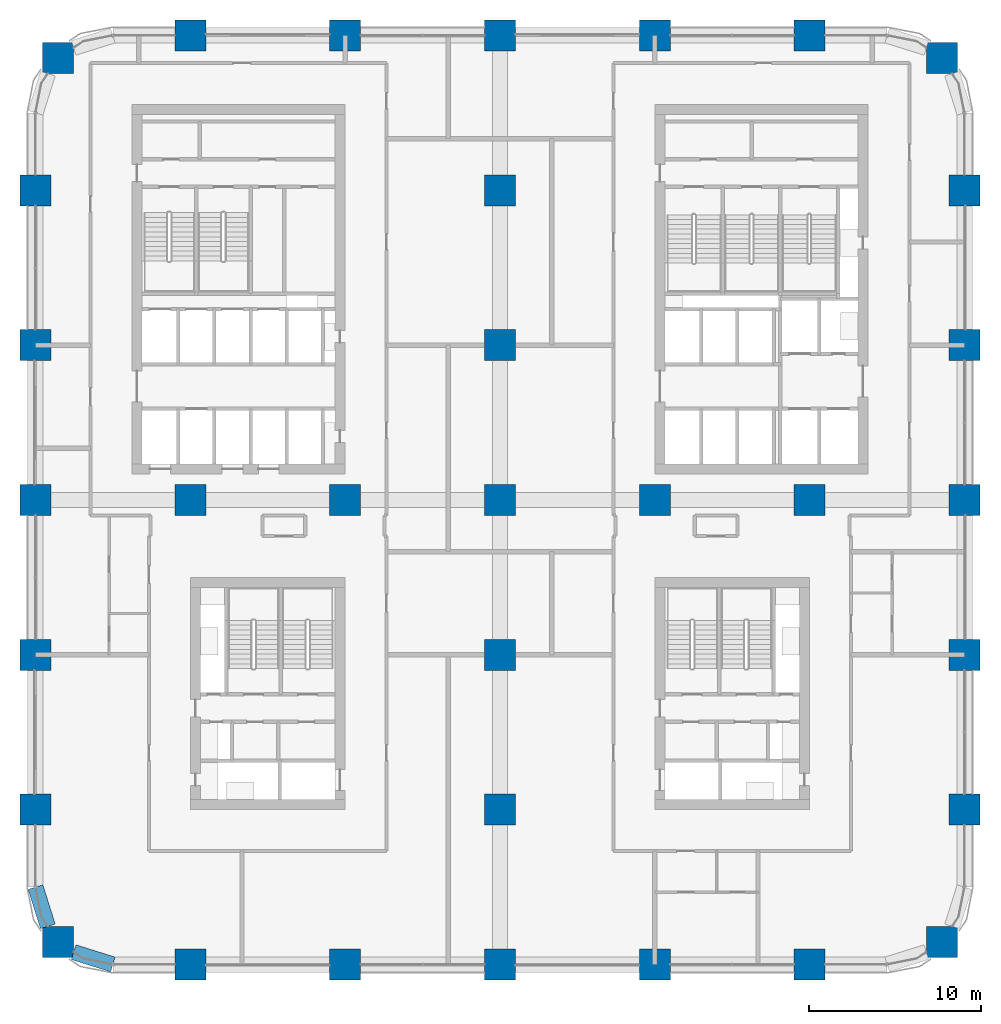
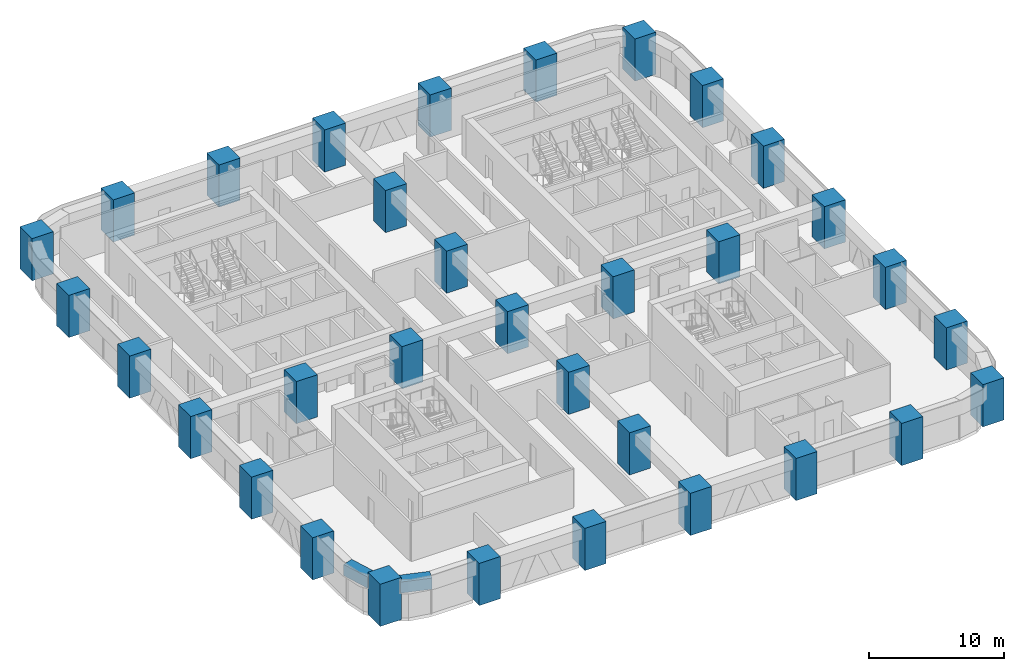
# One storey, part 1 of 21: 33 columns, 2 beams.
"""IFC4 building model written with IfcOpenShell, lengths in metres."""

from ifc_helpers import new_model, si_unit, direction, frame, origin, origin_2d, place, context, subcontext, project, spatial, rectangle, extrude, material, material_profile, profile_set, type_object, element, save


model = new_model("IFC4")

# Units and contexts
model_context = context("Model", 3, precision=1e-05, world=origin(), true_north=direction((0.0, 1.0)))
body_context = subcontext(model_context, "Body", "Model", "MODEL_VIEW")
ifc_project = project(units=[si_unit("LENGTHUNIT", "METRE"), si_unit("AREAUNIT", "SQUARE_METRE"), si_unit("VOLUMEUNIT", "CUBIC_METRE"), si_unit("PLANEANGLEUNIT", "RADIAN"), si_unit("MASSUNIT", "GRAM", prefix="KILO")], contexts=[model_context])

# Site, building, storey
site_placement = place(None, origin())
site = spatial("IfcSite", under=ifc_project, at=site_placement, CompositionType="ELEMENT")
building_placement = place(site_placement, origin())
building = spatial("IfcBuilding", under=site, at=building_placement, Name="Tessera Arch", CompositionType="ELEMENT")
storey_placement = place(building_placement, frame((0.0, 0.0, 65.199951171875)))
storey = spatial("IfcBuildingStorey", under=building, at=storey_placement, Name="L14", CompositionType="ELEMENT", Elevation=65.199951171875)

# Columns
ifc_material_1 = material(Name="Concrete C80/95", Category="concrete")
ifc_material_profile_1 = material_profile(ifc_material_1, rectangle(XDim=1.800048828125, YDim=1.800048828125, at=origin_2d()), Name="RC column 1800 x 1800 Concrete C80/95")
ifc_profile_set_1 = profile_set([ifc_material_profile_1], Name="Concrete C80/95")
column_type = type_object("IfcColumnType", Name="RC column 1800 x 1800 Concrete C80/95", PredefinedType="COLUMN", material=ifc_profile_set_1)
for number, where, z_axis, x_axis, name in (
    (1, (1.318115234375, 1.318115234375, 0.0), (0.0, 0.0, 1.0), (1.0, 0.0, 0.0), "Column C1A L14"),
    (2, (0.0, 9.0, 0.0), (0.0, 0.0, 1.0), (1.0, 0.0, 0.0), "Column C1B L14"),
    (3, (0.0, 18.0, 0.0), (0.0, 0.0, 1.0), (1.0, 0.0, 0.0), "Column C1C L14"),
    (4, (0.0, 27.0, 0.0), (0.0, 0.0, 1.0), (1.0, 0.0, 0.0), "Column C1D L14"),
    (5, (0.0, 36.0, 0.0), (0.0, 0.0, 1.0), (1.0, 0.0, 0.0), "Column C1E L14"),
    (6, (0.0, 45.0, 0.0), (0.0, 0.0, 1.0), (1.0, 0.0, 0.0), "Column C1F L14"),
    (7, (1.318115234375, 52.681884765625, 0.0), (0.0, 0.0, 1.0), (1.0, 0.0, 0.0), "Column C1G L14"),
    (8, (9.0, 0.0, 0.0), (0.0, 0.0, 1.0), (1.0, 0.0, 0.0), "Column C2A L14"),
    (9, (9.0, 27.0, 0.0), (0.0, 0.0, 1.0), (1.0, 0.0, 0.0), "Column C2D L14"),
    (10, (9.0, 54.0, 0.0), (0.0, 0.0, 1.0), (1.0, 0.0, 0.0), "Column C2G L14"),
    (11, (18.0, 0.0, 0.0), (0.0, 0.0, 1.0), (1.0, 0.0, 0.0), "Column C3A L14"),
    (12, (18.0, 27.0, 0.0), (0.0, 0.0, 1.0), (1.0, 0.0, 0.0), "Column C3D L14"),
    (13, (18.0, 54.0, 0.0), (0.0, 0.0, 1.0), (1.0, 0.0, 0.0), "Column C3G L14"),
    (14, (27.0, 0.0, 0.0), (0.0, 0.0, 1.0), (1.0, 0.0, 0.0), "Column C4A L14"),
    (15, (27.0, 9.0, 0.0), (0.0, 0.0, 1.0), (1.0, 0.0, 0.0), "Column C4B L14"),
    (16, (27.0, 18.0, 0.0), (0.0, 0.0, 1.0), (1.0, 0.0, 0.0), "Column C4C L14"),
    (17, (27.0, 27.0, 0.0), (0.0, 0.0, 1.0), (1.0, 0.0, 0.0), "Column C4D L14"),
    (18, (27.0, 36.0, 0.0), (0.0, 0.0, 1.0), (1.0, 0.0, 0.0), "Column C4E L14"),
    (19, (27.0, 45.0, 0.0), (0.0, 0.0, 1.0), (1.0, 0.0, 0.0), "Column C4F L14"),
    (20, (27.0, 54.0, 0.0), (0.0, 0.0, 1.0), (1.0, 0.0, 0.0), "Column C4G L14"),
    (21, (36.0, 0.0, 0.0), (0.0, 0.0, 1.0), (1.0, 0.0, 0.0), "Column C5A L14"),
    (22, (36.0, 27.0, 0.0), (0.0, 0.0, 1.0), (1.0, 0.0, 0.0), "Column C5D L14"),
    (23, (36.0, 54.0, 0.0), (0.0, 0.0, 1.0), (1.0, 0.0, 0.0), "Column C5G L14"),
    (24, (45.0, 0.0, 0.0), (0.0, 0.0, 1.0), (1.0, 0.0, 0.0), "Column C6A L14"),
    (25, (45.0, 27.0, 0.0), (0.0, 0.0, 1.0), (1.0, 0.0, 0.0), "Column C6D L14"),
    (26, (45.0, 54.0, 0.0), (0.0, 0.0, 1.0), (1.0, 0.0, 0.0), "Column C6G L14"),
    (27, (52.681884765625, 1.318115234375, 0.0), (0.0, 0.0, 1.0), (1.0, 0.0, 0.0), "Column C7A L14"),
    (28, (54.0, 9.0, 0.0), (0.0, 0.0, 1.0), (1.0, 0.0, 0.0), "Column C7B L14"),
    (29, (54.0, 18.0, 0.0), (0.0, 0.0, 1.0), (1.0, 0.0, 0.0), "Column C7C L14"),
    (30, (54.0, 27.0, 0.0), (0.0, 0.0, 1.0), (1.0, 0.0, 0.0), "Column C7D L14"),
    (31, (54.0, 36.0, 0.0), (0.0, 0.0, 1.0), (1.0, 0.0, 0.0), "Column C7E L14"),
    (32, (54.0, 45.0, 0.0), (0.0, 0.0, 1.0), (1.0, 0.0, 0.0), "Column C7F L14"),
    (33, (52.681884765625, 52.681884765625, 0.0), (0.0, 0.0, 1.0), (1.0, 0.0, 0.0), "Column C7G L14"),
):
    element("IfcColumn", number, at=place(storey_placement, frame(where, z_axis=z_axis, x_axis=x_axis)), inside=storey, type_object=column_type, Name=name, PredefinedType="COLUMN", context=body_context, shape_type="SweptSolid", body=[
        extrude(rectangle(XDim=1.800048828125, YDim=1.800048828125, at=origin_2d()), origin(), (0.0, 0.0, 1.0), 3.800048828125),
    ])

# Beams
ifc_material_2 = material(Name="Concrete C80/95", Category="concrete")
ifc_material_profile_2 = material_profile(ifc_material_2, rectangle(XDim=0.89990234375, YDim=1.0, at=origin_2d()), Name="RC spandrel beam 900 x 1000 Concrete C80/95")
ifc_profile_set_2 = profile_set([ifc_material_profile_2], Name="Concrete C80/95")
beam_type = type_object("IfcBeamType", Name="RC spandrel beam 900 x 1000 Concrete C80/95", PredefinedType="BEAM", material=ifc_profile_set_2)
for number, where, z_axis, x_axis, name in (
    (34, (0.0, 4.5, 3.0), (0.299675309057, -0.954041251279, 0.0), (0.954041251279, 0.299675309057, 0.0), "Spandrel beam L14 W0.0/5.2"),
    (35, (2.218017578125, 0.716796875, 3.0), (0.954041251279, -0.299675309057, 0.0), (0.299675309057, 0.954041251279, 0.0), "Spandrel beam L14 S0.0/5.1"),
):
    element("IfcBeam", number, at=place(storey_placement, frame(where, z_axis=z_axis, x_axis=x_axis)), inside=storey, type_object=beam_type, Name=name, PredefinedType="BEAM", context=body_context, shape_type="SweptSolid", body=[
        extrude(rectangle(XDim=0.89990234375, YDim=1.0, at=origin_2d()), origin(), (0.0, 0.0, 1.0), 2.391845703125),
    ])

save(model, "model.ifc")
